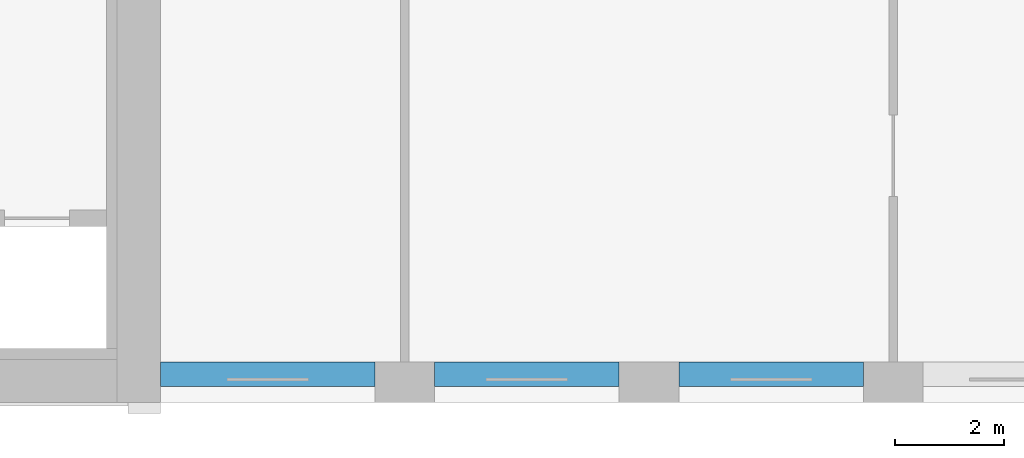
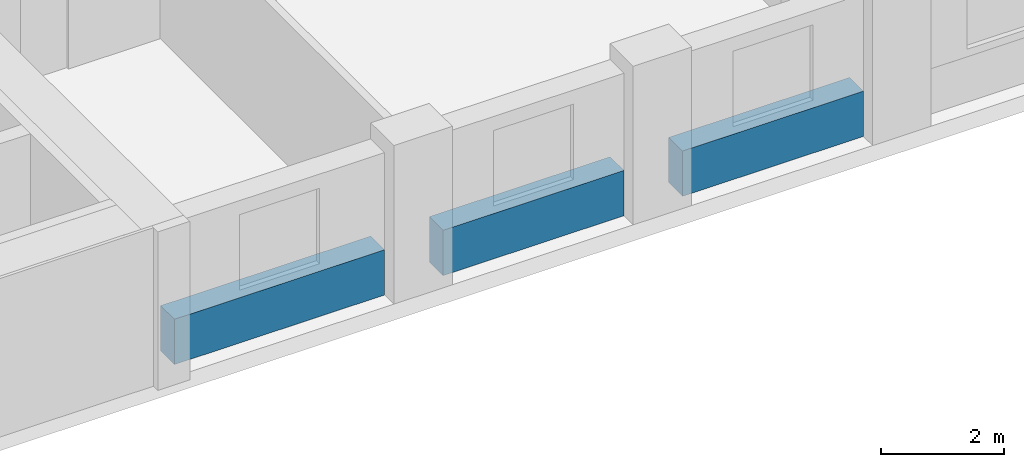
# One storey, part 3 of 16: 3 beams.
"""IFC4 building model written with IfcOpenShell, lengths in metres."""

from ifc_helpers import new_model, si_unit, direction, frame, origin, origin_2d, place, context, subcontext, project, spatial, rectangle, extrude, material, material_profile, profile_set, type_object, element, save


model = new_model("IFC4")

# Units and contexts
model_context = context("Model", 3, precision=1e-05, world=origin(), true_north=direction((0.0, 1.0)))
body_context = subcontext(model_context, "Body", "Model", "MODEL_VIEW")
ifc_project = project(units=[si_unit("LENGTHUNIT", "METRE"), si_unit("AREAUNIT", "SQUARE_METRE"), si_unit("VOLUMEUNIT", "CUBIC_METRE"), si_unit("PLANEANGLEUNIT", "RADIAN"), si_unit("MASSUNIT", "GRAM", prefix="KILO")], contexts=[model_context])

# Site, building, storey
site_placement = place(None, origin())
site = spatial("IfcSite", under=ifc_project, at=site_placement, CompositionType="ELEMENT")
building_placement = place(site_placement, origin())
building = spatial("IfcBuilding", under=site, at=building_placement, Name="Brigalow Station Residences", CompositionType="ELEMENT")
storey_placement = place(building_placement, frame((0.0, 0.0, 118.199951171875)))
storey = spatial("IfcBuildingStorey", under=building, at=storey_placement, Name="L34", CompositionType="ELEMENT", Elevation=118.199951171875)

# Beams
ifc_material = material(Name="Concrete C65", Category="concrete")
ifc_material_profile = material_profile(ifc_material, rectangle(XDim=0.449951171875, YDim=0.89990234375, at=origin_2d()), Name="RC450x900")
ifc_profile_set = profile_set([ifc_material_profile], Name="Concrete C65")
beam_type = type_object("IfcBeamType", Name="SPANDREL BEAM 450x900 C65", PredefinedType="SPANDREL", material=ifc_profile_set)
beam_placement = place(storey_placement, frame((54.0, 0.52490234375, 0.449951171875), z_axis=(1.0, 0.0, 0.0), x_axis=(0.0, 1.0, 0.0)))
element("IfcBeam", 1, at=beam_placement, inside=storey, type_object=beam_type, Name="L34/spandrel/W-L34-4", PredefinedType="SPANDREL", context=body_context, shape_type="SweptSolid", body=[
    extrude(rectangle(XDim=0.449951171875, YDim=0.89990234375, at=origin_2d()), origin(), (0.0, 0.0, 1.0), 3.949951171875),
])
for number, where, z_axis, x_axis, name in (
    (2, (59.050048828125, 0.52490234375, 0.449951171875), (1.0, 0.0, 0.0), (0.0, 1.0, 0.0), "L34/spandrel/W-L34-5"),
    (3, (63.550048828125, 0.52490234375, 0.449951171875), (1.0, 0.0, 0.0), (0.0, 1.0, 0.0), "L34/spandrel/W-L34-6"),
):
    element("IfcBeam", number, at=place(storey_placement, frame(where, z_axis=z_axis, x_axis=x_axis)), inside=storey, type_object=beam_type, Name=name, PredefinedType="SPANDREL", context=body_context, shape_type="SweptSolid", body=[
        extrude(rectangle(XDim=0.449951171875, YDim=0.89990234375, at=origin_2d()), origin(), (0.0, 0.0, 1.0), 3.39990234375),
    ])

save(model, "model.ifc")
